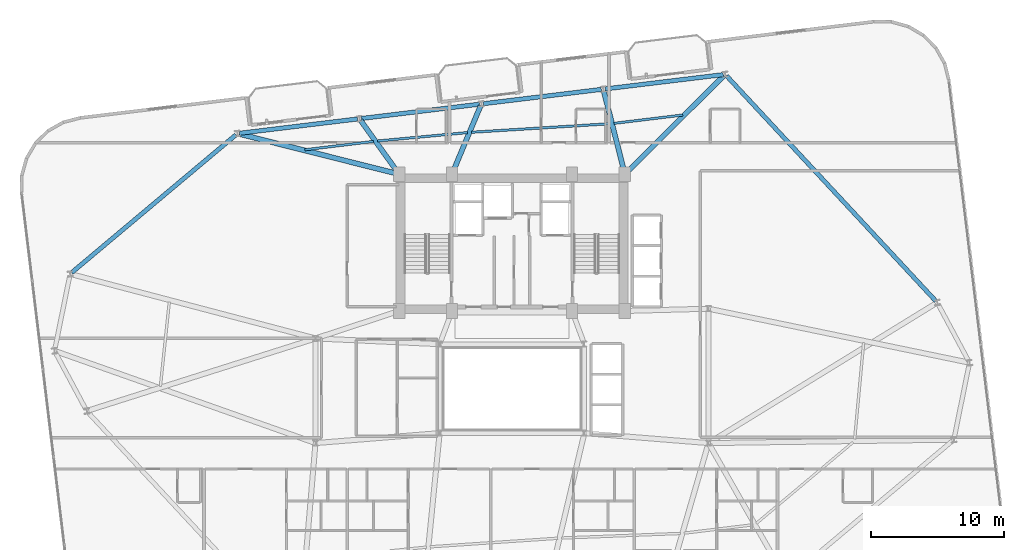
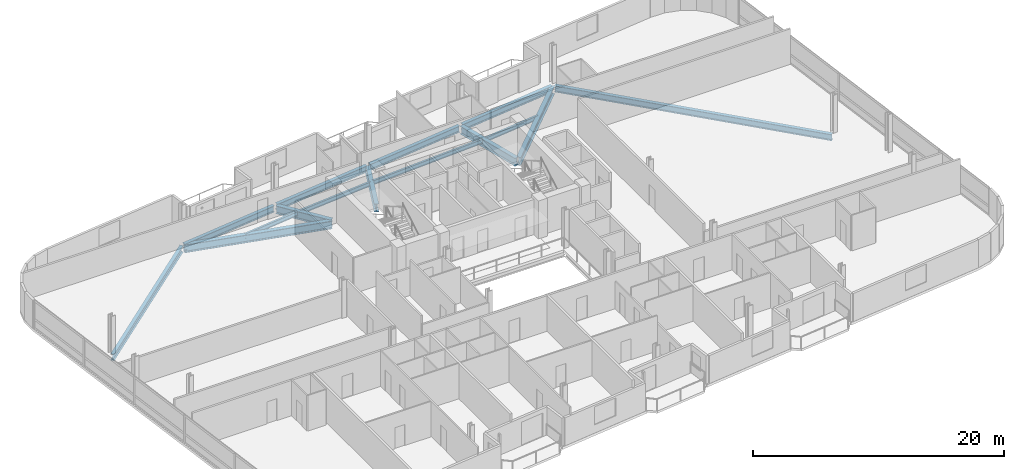
# One storey, part 9 of 23: 15 beams.
"""IFC4 building model written with IfcOpenShell, lengths in metres."""

from ifc_helpers import new_model, si_unit, direction, frame, origin, origin_2d, place, context, subcontext, project, spatial, i_section, extrude, material, material_profile, profile_set, type_object, element, save


model = new_model("IFC4")

# Units and contexts
model_context = context("Model", 3, precision=1e-05, world=origin(), true_north=direction((0.0, 1.0)))
body_context = subcontext(model_context, "Body", "Model", "MODEL_VIEW")
ifc_project = project(units=[si_unit("LENGTHUNIT", "METRE"), si_unit("AREAUNIT", "SQUARE_METRE"), si_unit("VOLUMEUNIT", "CUBIC_METRE"), si_unit("PLANEANGLEUNIT", "RADIAN"), si_unit("MASSUNIT", "GRAM", prefix="KILO")], contexts=[model_context])

# Site, building, storey
site_placement = place(None, origin())
site = spatial("IfcSite", under=ifc_project, at=site_placement, CompositionType="ELEMENT")
building_placement = place(site_placement, origin())
building = spatial("IfcBuilding", under=site, at=building_placement, Name="Varnelok Gate Tower", CompositionType="ELEMENT")
storey_placement = place(building_placement, frame((0.0, 0.0, 170.89990234375)))
storey = spatial("IfcBuildingStorey", under=building, at=storey_placement, Name="L43", CompositionType="ELEMENT", Elevation=170.89990234375)

# Beams
ifc_material = material(Name="Structural Steel ASTM A992 Grade 50", Category="steel")
ifc_material_profile_1 = material_profile(ifc_material, i_section(OverallWidth=0.180908203125, OverallDepth=0.4169921875, WebThickness=0.010986328125, FlangeThickness=0.018310546875, FilletRadius=0.013916015625, at=origin_2d()), Name="W16X57")
ifc_profile_set_1 = profile_set([ifc_material_profile_1], Name="Structural Steel ASTM A992 Grade 50")
beam_type_1 = type_object("IfcBeamType", Name="BM-JST-W16X57", PredefinedType="JOIST", material=ifc_profile_set_1)
beam_1_placement = place(storey_placement, frame((52.0576171875, 43.505859375, -0.45849609375), z_axis=(-0.99273192091, -0.120346720792, 0.0), x_axis=(0.120346720792, -0.99273192091, 0.0)))
element("IfcBeam", 1, at=beam_1_placement, inside=storey, type_object=beam_type_1, Name="L43 Sector Floor Joist 7", PredefinedType="JOIST", context=body_context, shape_type="SweptSolid", body=[
    extrude(i_section(OverallWidth=0.180908203125, OverallDepth=0.4169921875, WebThickness=0.010986328125, FlangeThickness=0.018310546875, FilletRadius=0.013916015625, at=origin_2d()), origin(), (0.0, 0.0, 1.0), 5.223876953125),
])
beam_2_placement = place(storey_placement, frame((46.59326171875, 42.8515625, -0.45849609375), z_axis=(-0.998103200864, -0.061562979331, 0.0), x_axis=(0.061562979331, -0.998103200864, 0.0)))
element("IfcBeam", 2, at=beam_2_placement, inside=storey, type_object=beam_type_1, Name="L43 Sector Floor Joist 8", PredefinedType="JOIST", context=body_context, shape_type="SweptSolid", body=[
    extrude(i_section(OverallWidth=0.180908203125, OverallDepth=0.4169921875, WebThickness=0.010986328125, FlangeThickness=0.018310546875, FilletRadius=0.013916015625, at=origin_2d()), origin(), (0.0, 0.0, 1.0), 10.477294921875),
])
beam_3_placement = place(storey_placement, frame((35.856689453125, 42.184814453125, -0.45849609375), z_axis=(-0.995647510316, -0.093198901289, 0.0), x_axis=(0.093198901289, -0.995647510316, 0.0)))
element("IfcBeam", 3, at=beam_3_placement, inside=storey, type_object=beam_type_1, Name="L43 Sector Floor Joist 9", PredefinedType="JOIST", context=body_context, shape_type="SweptSolid", body=[
    extrude(i_section(OverallWidth=0.180908203125, OverallDepth=0.4169921875, WebThickness=0.010986328125, FlangeThickness=0.018310546875, FilletRadius=0.013916015625, at=origin_2d()), origin(), (0.0, 0.0, 1.0), 6.82666015625),
])
beam_4_placement = place(storey_placement, frame((28.781494140625, 41.518798828125, -0.45849609375), z_axis=(-0.992726336158, -0.120392780092, 0.0), x_axis=(0.120392780092, -0.992726336158, 0.0)))
element("IfcBeam", 4, at=beam_4_placement, inside=storey, type_object=beam_type_1, Name="L43 Sector Floor Joist 10", PredefinedType="JOIST", context=body_context, shape_type="SweptSolid", body=[
    extrude(i_section(OverallWidth=0.180908203125, OverallDepth=0.4169921875, WebThickness=0.010986328125, FlangeThickness=0.018310546875, FilletRadius=0.013916015625, at=origin_2d()), origin(), (0.0, 0.0, 1.0), 5.223876953125),
])
ifc_material_profile_2 = material_profile(ifc_material, i_section(OverallWidth=0.381103515625, OverallDepth=0.77294921875, WebThickness=0.0166015625, FlangeThickness=0.027099609375, FilletRadius=0.02197265625, at=origin_2d()), Name="W30X173")
ifc_profile_set_2 = profile_set([ifc_material_profile_2], Name="Structural Steel ASTM A992 Grade 50")
beam_type_2 = type_object("IfcBeamType", Name="BM-PRI-W30X173", PredefinedType="BEAM", material=ifc_profile_set_2)
beam_5_placement = place(storey_placement, frame((47.806396484375, 39.15576171875, -0.636474609375), z_axis=(0.708989690383, 0.705218844707, 0.0), x_axis=(-0.705218844707, 0.708989690383, 0.0)))
element("IfcBeam", 5, at=beam_5_placement, inside=storey, type_object=beam_type_2, Name="L43 Radial Floor Girder 9", PredefinedType="BEAM", context=body_context, shape_type="SweptSolid", body=[
    extrude(i_section(OverallWidth=0.381103515625, OverallDepth=0.77294921875, WebThickness=0.0166015625, FlangeThickness=0.027099609375, FilletRadius=0.02197265625, at=origin_2d()), origin(), (0.0, 0.0, 1.0), 10.359130859375),
])
beam_6_placement = place(storey_placement, frame((47.6630859375, 39.1953125, -0.636474609375), z_axis=(-0.246004343354, 0.969268725922, 0.0), x_axis=(-0.969268725922, -0.246004343354, 0.0)))
element("IfcBeam", 6, at=beam_6_placement, inside=storey, type_object=beam_type_2, Name="L43 Radial Floor Girder 10", PredefinedType="BEAM", context=body_context, shape_type="SweptSolid", body=[
    extrude(i_section(OverallWidth=0.381103515625, OverallDepth=0.77294921875, WebThickness=0.0166015625, FlangeThickness=0.027099609375, FilletRadius=0.02197265625, at=origin_2d()), origin(), (0.0, 0.0, 1.0), 6.306884765625),
])
beam_7_placement = place(storey_placement, frame((34.73779296875, 39.1884765625, -0.636474609375), z_axis=(0.38573799398, 0.922608367619, 0.0), x_axis=(-0.922608367619, 0.38573799398, 0.0)))
element("IfcBeam", 7, at=beam_7_placement, inside=storey, type_object=beam_type_2, Name="L43 Radial Floor Girder 11", PredefinedType="BEAM", context=body_context, shape_type="SweptSolid", body=[
    extrude(i_section(OverallWidth=0.381103515625, OverallDepth=0.77294921875, WebThickness=0.0166015625, FlangeThickness=0.027099609375, FilletRadius=0.02197265625, at=origin_2d()), origin(), (0.0, 0.0, 1.0), 5.434326171875),
])
beam_8_placement = place(storey_placement, frame((30.61279296875, 39.172119140625, -0.636474609375), z_axis=(-0.582178250272, 0.81306118153, 0.0), x_axis=(-0.81306118153, -0.582178250272, 0.0)))
element("IfcBeam", 8, at=beam_8_placement, inside=storey, type_object=beam_type_2, Name="L43 Radial Floor Girder 12", PredefinedType="BEAM", context=body_context, shape_type="SweptSolid", body=[
    extrude(i_section(OverallWidth=0.381103515625, OverallDepth=0.77294921875, WebThickness=0.0166015625, FlangeThickness=0.027099609375, FilletRadius=0.02197265625, at=origin_2d()), origin(), (0.0, 0.0, 1.0), 4.837646484375),
])
beam_9_placement = place(storey_placement, frame((30.554443359375, 39.086669921875, -0.636474609375), z_axis=(-0.969752143123, 0.244091746906, 0.0), x_axis=(-0.244091746906, -0.969752143123, 0.0)))
element("IfcBeam", 9, at=beam_9_placement, inside=storey, type_object=beam_type_2, Name="L43 Radial Floor Girder 13", PredefinedType="BEAM", context=body_context, shape_type="SweptSolid", body=[
    extrude(i_section(OverallWidth=0.381103515625, OverallDepth=0.77294921875, WebThickness=0.0166015625, FlangeThickness=0.027099609375, FilletRadius=0.02197265625, at=origin_2d()), origin(), (0.0, 0.0, 1.0), 12.25341796875),
])
ifc_material_profile_3 = material_profile(ifc_material, i_section(OverallWidth=0.323974609375, OverallDepth=0.611083984375, WebThickness=0.0126953125, FlangeThickness=0.01904296875, FilletRadius=0.01806640625, at=origin_2d()), Name="W24X104")
ifc_profile_set_3 = profile_set([ifc_material_profile_3], Name="Structural Steel ASTM A992 Grade 50")
beam_type_3 = type_object("IfcBeamType", Name="BM-SPN-W24X104", PredefinedType="SPANDREL", material=ifc_profile_set_3)
beam_10_placement = place(storey_placement, frame((71.123291015625, 29.49365234375, -0.555419921875), z_axis=(-0.680734113922, 0.732530590585, 0.0), x_axis=(-0.732530590585, -0.680734113922, 0.0)))
element("IfcBeam", 10, at=beam_10_placement, inside=storey, type_object=beam_type_3, Name="L43 Perimeter Spandrel Beam 8", PredefinedType="SPANDREL", context=body_context, shape_type="SweptSolid", body=[
    extrude(i_section(OverallWidth=0.323974609375, OverallDepth=0.611083984375, WebThickness=0.0126953125, FlangeThickness=0.01904296875, FilletRadius=0.01806640625, at=origin_2d()), origin(), (0.0, 0.0, 1.0), 23.1572265625),
])
for number, where, z_axis, x_axis, name in (
    (11, (55.1083984375, 46.548828125, -0.555419921875), (-0.992734670707, -0.120324035735, 0.0), (0.120324035735, -0.992734670707, 0.0), "L43 Perimeter Spandrel Beam 9"),
    (12, (45.92578125, 45.435791015625, -0.555419921875), (-0.99273141198, -0.120350918849, 0.0), (0.120350918849, -0.99273141198, 0.0), "L43 Perimeter Spandrel Beam 10"),
    (13, (36.742919921875, 44.322509765625, -0.555419921875), (-0.992734670707, -0.120324035735, 0.0), (0.120324035735, -0.992734670707, 0.0), "L43 Perimeter Spandrel Beam 11"),
    (14, (27.56005859375, 43.209228515625, -0.555419921875), (-0.992734670707, -0.120324035735, 0.0), (0.120324035735, -0.992734670707, 0.0), "L43 Perimeter Spandrel Beam 12"),
):
    element("IfcBeam", number, at=place(storey_placement, frame(where, z_axis=z_axis, x_axis=x_axis)), inside=storey, type_object=beam_type_3, Name=name, PredefinedType="SPANDREL", context=body_context, shape_type="SweptSolid", body=[
        extrude(i_section(OverallWidth=0.323974609375, OverallDepth=0.611083984375, WebThickness=0.0126953125, FlangeThickness=0.01904296875, FilletRadius=0.01806640625, at=origin_2d()), origin(), (0.0, 0.0, 1.0), 8.949951171875),
    ])
beam_11_placement = place(storey_placement, frame((18.411376953125, 42.017822265625, -0.555419921875), z_axis=(-0.766099582792, -0.642721891059, 0.0), x_axis=(0.642721891059, -0.766099582792, 0.0)))
element("IfcBeam", 15, at=beam_11_placement, inside=storey, type_object=beam_type_3, Name="L43 Perimeter Spandrel Beam 13", PredefinedType="SPANDREL", context=body_context, shape_type="SweptSolid", body=[
    extrude(i_section(OverallWidth=0.323974609375, OverallDepth=0.611083984375, WebThickness=0.0126953125, FlangeThickness=0.01904296875, FilletRadius=0.01806640625, at=origin_2d()), origin(), (0.0, 0.0, 1.0), 16.151123046875),
])

save(model, "model.ifc")
